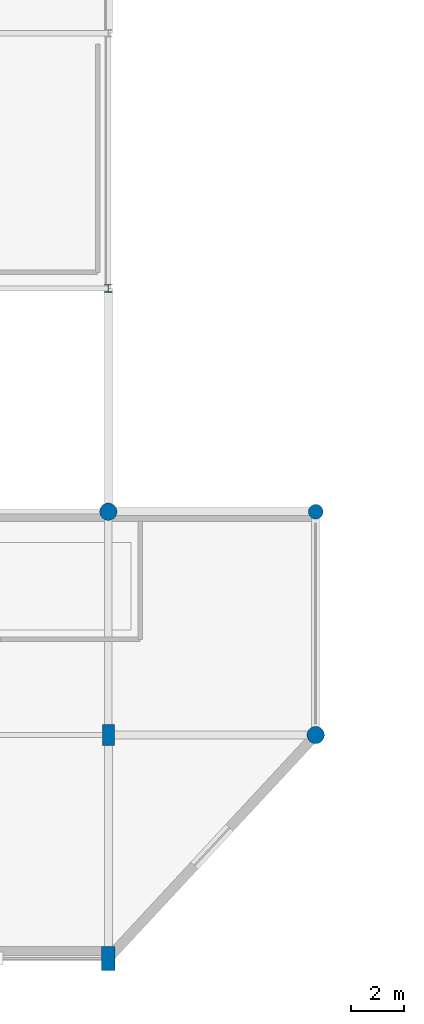
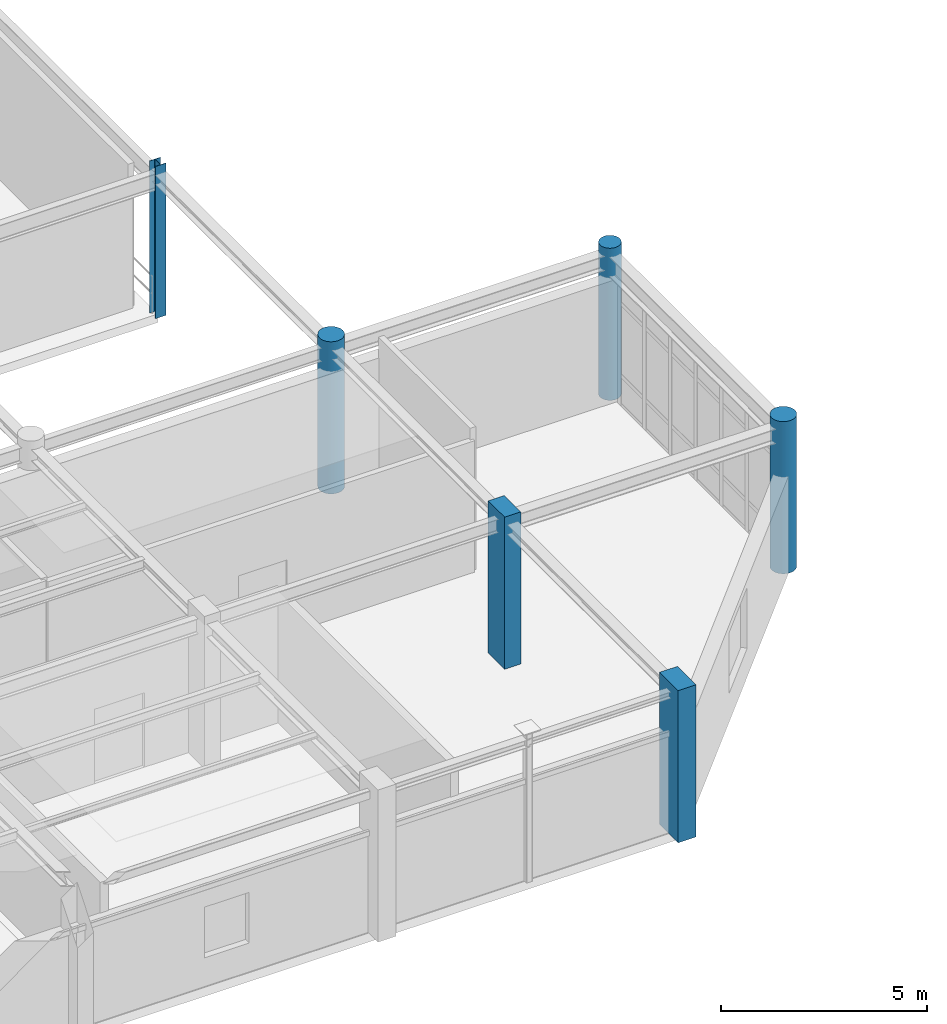
# One storey, part 4 of 106: 6 columns.
"""IFC4 building model written with IfcOpenShell, lengths in metres."""

from ifc_helpers import new_model, si_unit, derived_unit, direction, frame, origin, origin_2d, place, context, subcontext, project, spatial, rectangle, circle, i_section, extrude, material, material_profile, profile_set, type_object, element, save


model = new_model("IFC4")

# Units and contexts
model_context = context("Model", 3, precision=1e-05, world=origin(), true_north=direction((0.0, 1.0)))
body_context = subcontext(model_context, "Body", "Model", "MODEL_VIEW")
ifc_project = project(units=[si_unit("LENGTHUNIT", "METRE"), si_unit("AREAUNIT", "SQUARE_METRE"), si_unit("VOLUMEUNIT", "CUBIC_METRE"), si_unit("PLANEANGLEUNIT", "RADIAN"), si_unit("MASSUNIT", "GRAM", prefix="KILO"), derived_unit("THERMALTRANSMITTANCEUNIT", [(si_unit("POWERUNIT", "WATT"), 1), (si_unit("AREAUNIT", "SQUARE_METRE"), -1), (si_unit("THERMODYNAMICTEMPERATUREUNIT", "KELVIN"), -1)])], contexts=[model_context])

# Site, building, storey
site_placement = place(None, origin())
site = spatial("IfcSite", under=ifc_project, at=site_placement, CompositionType="ELEMENT")
building_placement = place(site_placement, origin())
building = spatial("IfcBuilding", under=site, at=building_placement, Name="Yasenodar Specialist Clinic", CompositionType="ELEMENT")
storey_placement = place(building_placement, frame((0.0, 0.0, 4.5)))
storey = spatial("IfcBuildingStorey", under=building, at=storey_placement, Name="L01", CompositionType="ELEMENT", Elevation=4.5)

# Columns
ifc_material_1 = material(Name="Concrete C35/45", Category="concrete")
ifc_material_profile_1 = material_profile(ifc_material_1, rectangle(XDim=0.449951171875, YDim=0.800048828125, at=origin_2d()), Name="RC 450x800")
ifc_profile_set_1 = profile_set([ifc_material_profile_1], Name="Concrete C35/45")
column_type_1 = type_object("IfcColumnType", Name="COL-RC-450x800", PredefinedType="COLUMN", material=ifc_profile_set_1)
column_1_placement = place(storey_placement, frame((33.60009765625, 8.39990234375, 0.0), z_axis=(0.0, 0.0, 1.0), x_axis=(1.0, 0.0, 0.0)))
element("IfcColumn", 1, at=column_1_placement, inside=storey, type_object=column_type_1, Name="L01 Column V2-059", PredefinedType="COLUMN", context=body_context, shape_type="SweptSolid", body=[
    extrude(rectangle(XDim=0.449951171875, YDim=0.800048828125, at=origin_2d()), origin(), (0.0, 0.0, 1.0), 4.5),
])
ifc_material_profile_2 = material_profile(ifc_material_1, rectangle(XDim=0.5, YDim=0.89990234375, at=origin_2d()), Name="RC 500x900")
ifc_profile_set_2 = profile_set([ifc_material_profile_2], Name="Concrete C35/45")
column_type_2 = type_object("IfcColumnType", Name="COL-RC-500x900", PredefinedType="COLUMN", material=ifc_profile_set_2)
column_2_placement = place(storey_placement, frame((33.60009765625, 0.0, 0.0), z_axis=(0.0, 0.0, 1.0), x_axis=(1.0, 0.0, 0.0)))
element("IfcColumn", 2, at=column_2_placement, inside=storey, type_object=column_type_2, Name="L01 Column V2-058", PredefinedType="COLUMN", context=body_context, shape_type="SweptSolid", body=[
    extrude(rectangle(XDim=0.5, YDim=0.89990234375, at=origin_2d()), origin(), (0.0, 0.0, 1.0), 4.5),
])
ifc_material_profile_3 = material_profile(ifc_material_1, circle(Radius=0.27490234375, at=origin_2d()), Name="RC D550")
ifc_profile_set_3 = profile_set([ifc_material_profile_3], Name="Concrete C35/45")
column_type_3 = type_object("IfcColumnType", Name="COL-RC-D550", PredefinedType="COLUMN", material=ifc_profile_set_3)
column_3_placement = place(storey_placement, frame((41.39990234375, 16.800048828125, 0.0), z_axis=(0.0, 0.0, 1.0), x_axis=(1.0, 0.0, 0.0)))
element("IfcColumn", 3, at=column_3_placement, inside=storey, type_object=column_type_3, Name="L01 Column V2-073", PredefinedType="COLUMN", context=body_context, shape_type="SweptSolid", body=[
    extrude(circle(Radius=0.27490234375, at=origin_2d()), origin(), (0.0, 0.0, 1.0), 4.5),
])
ifc_material_profile_4 = material_profile(ifc_material_1, circle(Radius=0.324951171875, at=origin_2d()), Name="RC D650")
ifc_profile_set_4 = profile_set([ifc_material_profile_4], Name="Concrete C35/45")
column_type_4 = type_object("IfcColumnType", Name="COL-RC-D650", PredefinedType="COLUMN", material=ifc_profile_set_4)
for number, where, z_axis, x_axis, name in (
    (4, (33.60009765625, 16.800048828125, 0.0), (0.0, 0.0, 1.0), (1.0, 0.0, 0.0), "L01 Column V2-060"),
    (5, (41.39990234375, 8.39990234375, 0.0), (0.0, 0.0, 1.0), (1.0, 0.0, 0.0), "L01 Column V2-072"),
):
    element("IfcColumn", number, at=place(storey_placement, frame(where, z_axis=z_axis, x_axis=x_axis)), inside=storey, type_object=column_type_4, Name=name, PredefinedType="COLUMN", context=body_context, shape_type="SweptSolid", body=[
        extrude(circle(Radius=0.324951171875, at=origin_2d()), origin(), (0.0, 0.0, 1.0), 4.5),
    ])
ifc_material_2 = material(Name="Steel S355", Category="steel")
ifc_material_profile_5 = material_profile(ifc_material_2, i_section(OverallWidth=0.300048828125, OverallDepth=0.2900390625, WebThickness=0.008544921875, FlangeThickness=0.013916015625, FilletRadius=0.027099609375, at=origin_2d()), Name="HEA 300")
ifc_profile_set_5 = profile_set([ifc_material_profile_5], Name="Steel S355")
column_type_5 = type_object("IfcColumnType", Name="COL-ST-HEA300", PredefinedType="COLUMN", material=ifc_profile_set_5)
column_4_placement = place(storey_placement, frame((33.60009765625, 25.199951171875, 0.0), z_axis=(0.0, 0.0, 1.0), x_axis=(1.0, 0.0, 0.0)))
element("IfcColumn", 6, at=column_4_placement, inside=storey, type_object=column_type_5, Name="L01 Column V4-061", PredefinedType="COLUMN", context=body_context, shape_type="SweptSolid", body=[
    extrude(i_section(OverallWidth=0.300048828125, OverallDepth=0.2900390625, WebThickness=0.008544921875, FlangeThickness=0.013916015625, FilletRadius=0.027099609375, at=origin_2d()), origin(), (0.0, 0.0, 1.0), 4.5),
])

save(model, "model.ifc")
